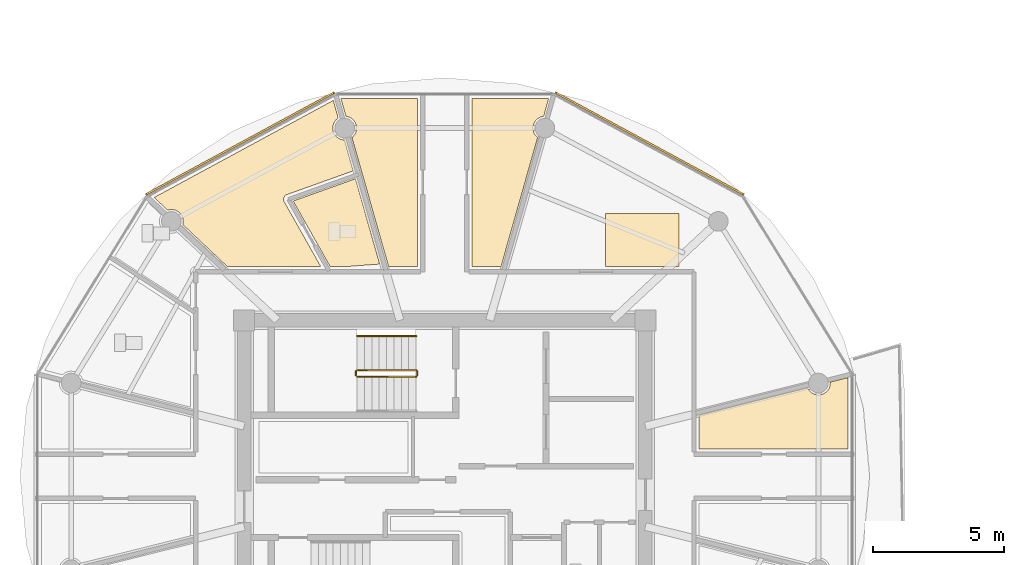
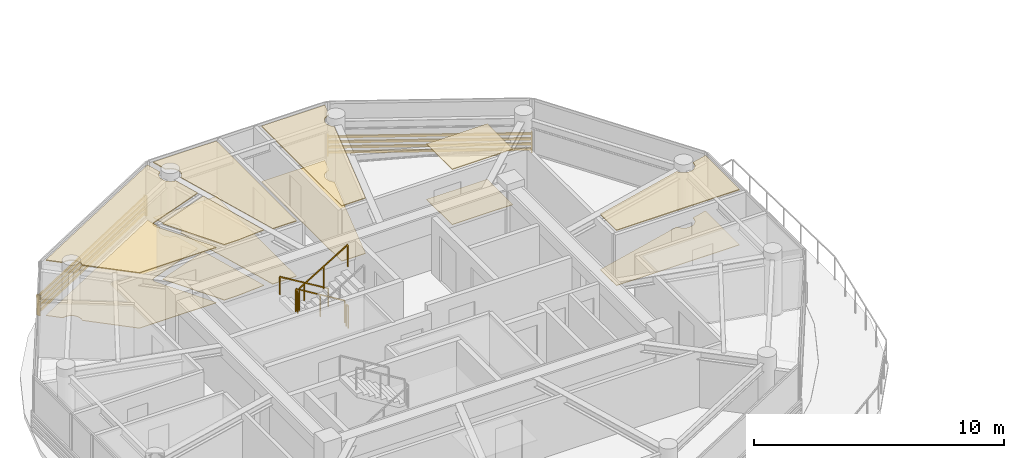
# One storey, part 17 of 21: 12 coverings, 5 railings, 2 shading devices.
"""IFC4 building model written with IfcOpenShell, lengths in metres."""

from ifc_helpers import new_model, si_unit, direction, frame, origin, origin_2d, place, context, subcontext, project, spatial, polyline, rectangle, outline, extrude, source, transform, mapped, material, layer, layer_set, type_object, type_shapes, element, save


model = new_model("IFC4")

# Units and contexts
model_context = context("Model", 3, precision=1e-05, world=origin(), true_north=direction((0.0, 1.0)))
body_context = subcontext(model_context, "Body", "Model", "MODEL_VIEW")
ifc_project = project(units=[si_unit("LENGTHUNIT", "METRE"), si_unit("AREAUNIT", "SQUARE_METRE"), si_unit("VOLUMEUNIT", "CUBIC_METRE"), si_unit("PLANEANGLEUNIT", "RADIAN"), si_unit("MASSUNIT", "GRAM", prefix="KILO")], contexts=[model_context])

# Site, building, storey
site_placement = place(None, origin())
site = spatial("IfcSite", under=ifc_project, at=site_placement, CompositionType="ELEMENT")
building_placement = place(site_placement, origin())
building = spatial("IfcBuilding", under=site, at=building_placement, Name="Norrkilde Senior Care Towers", CompositionType="ELEMENT")
storey_placement = place(building_placement, frame((0.0, 0.0, 241.35009765625)))
storey = spatial("IfcBuildingStorey", under=building, at=storey_placement, Name="L75", CompositionType="ELEMENT", Elevation=241.35009765625)

# Coverings
ifc_material_1 = material(Name="Nordic Ash Timber", Category="wood")
ifc_layer_1 = layer(ifc_material_1, 0.044921875)
ifc_layer_set_1 = layer_set([ifc_layer_1], Name="Nordic Ash Timber")
covering_type_1 = type_object("IfcCoveringType", Name="Acoustic Ash Timber Slatted Ceiling 45", PredefinedType="CEILING", material=ifc_layer_set_1)
covering_1_placement = place(storey_placement, frame((0.0, 0.0, 2.684814453125)))
element("IfcCovering", 1, at=covering_1_placement, inside=storey, type_object=covering_type_1, Name="L75 Suspended Ceiling 0468", PredefinedType="CEILING", context=body_context, shape_type="SweptSolid", body=[
    extrude(outline(polyline([(-29.0400390625, 14.407470703125), (-29.0400390625, 8.0), (-30.144775390625, 8.0), (-31.541748046875, 12.924560546875), (-31.495849609375, 12.959716796875), (-31.423583984375, 13.053955078125), (-31.378173828125, 13.163818359375), (-31.362548828125, 13.281494140625), (-31.378173828125, 13.399169921875), (-31.423583984375, 13.509033203125), (-31.495849609375, 13.603271484375), (-31.590087890625, 13.675537109375), (-31.69970703125, 13.720947265625), (-31.770263671875, 13.730224609375), (-31.96240234375, 14.407470703125), (-29.0400390625, 14.407470703125)])), origin(), (0.0, 0.0, 1.0), 0.045166015625),
])
covering_2_placement = place(storey_placement, frame((0.0, 0.0, 2.684814453125)))
element("IfcCovering", 2, at=covering_2_placement, inside=storey, type_object=covering_type_1, Name="L75 Suspended Ceiling 0469", PredefinedType="CEILING", context=body_context, shape_type="SweptSolid", body=[
    extrude(outline(polyline([(-24.03759765625, 14.407470703125), (-24.229736328125, 13.730224609375), (-24.30029296875, 13.720947265625), (-24.409912109375, 13.675537109375), (-24.504150390625, 13.603271484375), (-24.576416015625, 13.509033203125), (-24.621826171875, 13.399169921875), (-24.637451171875, 13.281494140625), (-24.621826171875, 13.163818359375), (-24.576416015625, 13.053955078125), (-24.504150390625, 12.959716796875), (-24.458251953125, 12.924560546875), (-25.855224609375, 8.0), (-26.9599609375, 8.0), (-26.9599609375, 14.407470703125), (-24.03759765625, 14.407470703125)])), origin(), (0.0, 0.0, 1.0), 0.045166015625),
])
covering_3_placement = place(storey_placement, frame((0.0, 0.0, 2.684814453125)))
element("IfcCovering", 3, at=covering_3_placement, inside=storey, type_object=covering_type_1, Name="L75 Suspended Ceiling 0471", PredefinedType="CEILING", context=body_context, shape_type="SweptSolid", body=[
    extrude(outline(polyline([(-12.62646484375, 1.0400390625), (-18.300048828125, 1.0400390625), (-18.300048828125, 2.331298828125), (-14.165771484375, 3.377685546875), (-14.146728515625, 3.331298828125), (-14.07421875, 3.237060546875), (-13.97998046875, 3.164794921875), (-13.870361328125, 3.119384765625), (-13.752685546875, 3.103759765625), (-13.634765625, 3.119384765625), (-13.525146484375, 3.164794921875), (-13.430908203125, 3.237060546875), (-13.358642578125, 3.331298828125), (-13.31298828125, 3.44091796875), (-13.297607421875, 3.558837890625), (-13.302490234375, 3.59619140625), (-12.62646484375, 3.76708984375), (-12.62646484375, 1.0400390625)])), origin(), (0.0, 0.0, 1.0), 0.045166015625),
])
covering_4_placement = place(storey_placement, frame((0.0, 0.0, 2.684814453125)))
element("IfcCovering", 4, at=covering_4_placement, inside=storey, type_object=covering_type_1, Name="L75 Suspended Ceiling 0472", PredefinedType="CEILING", context=body_context, shape_type="SweptSolid", body=[
    extrude(outline(polyline([(-21.865234375, 10.033935546875), (-19.065185546875, 10.033935546875), (-19.065185546875, 8.0), (-21.865234375, 8.0), (-21.865234375, 10.033935546875)])), origin(), (0.0, 0.0, 1.0), 0.045166015625),
])
covering_5_placement = place(storey_placement, frame((0.0, 0.0, 2.684814453125)))
element("IfcCovering", 5, at=covering_5_placement, inside=storey, type_object=covering_type_1, Name="L75 Suspended Ceiling 0473", PredefinedType="CEILING", context=body_context, shape_type="SweptSolid", body=[
    extrude(outline(polyline([(-34.0595703125, 10.7255859375), (-34.065185546875, 10.7216796875), (-34.074462890625, 10.71484375), (-34.079833984375, 10.710693359375), (-34.08837890625, 10.702880859375), (-34.09326171875, 10.6982421875), (-34.10107421875, 10.689697265625), (-34.10546875, 10.684326171875), (-34.1123046875, 10.675048828125), (-34.1162109375, 10.66943359375), (-34.122314453125, 10.65966796875), (-34.12548828125, 10.65380859375), (-34.130615234375, 10.643310546875), (-34.13330078125, 10.63720703125), (-34.13720703125, 10.626220703125), (-34.139404296875, 10.619873046875), (-34.142333984375, 10.608642578125), (-34.143798828125, 10.60205078125), (-34.1455078125, 10.590576171875), (-34.146484375, 10.583740234375), (-34.147216796875, 10.572265625), (-34.147216796875, 10.5654296875), (-34.14697265625, 10.553955078125), (-34.146484375, 10.547119140625), (-34.14501953125, 10.53564453125), (-34.143798828125, 10.529052734375), (-34.14111328125, 10.517578125), (-34.139404296875, 10.51123046875), (-34.1357421875, 10.500244140625), (-34.13330078125, 10.493896484375), (-34.128662109375, 10.483154296875), (-34.12548828125, 10.47705078125), (-34.122802734375, 10.471923828125), (-32.72900390625, 8.0), (-36.294677734375, 8.0), (-37.9912109375, 9.6025390625), (-37.990234375, 9.60498046875), (-37.974853515625, 9.72265625), (-37.990234375, 9.840576171875), (-38.035888671875, 9.9501953125), (-38.108154296875, 10.04443359375), (-38.202392578125, 10.11669921875), (-38.31201171875, 10.162109375), (-38.429931640625, 10.177734375), (-38.547607421875, 10.162109375), (-38.57275390625, 10.15185546875), (-39.08642578125, 10.636962890625), (-32.253662109375, 14.335693359375), (-32.062744140625, 13.662109375), (-32.139404296875, 13.603271484375), (-32.211669921875, 13.509033203125), (-32.257080078125, 13.399169921875), (-32.2724609375, 13.281494140625), (-32.257080078125, 13.163818359375), (-32.211669921875, 13.053955078125), (-32.139404296875, 12.959716796875), (-32.045166015625, 12.887451171875), (-31.935302734375, 12.842041015625), (-31.825927734375, 12.82763671875), (-31.491943359375, 11.650634765625), (-34.021484375, 10.744140625), (-34.02685546875, 10.7421875), (-34.033203125, 10.739501953125), (-34.043701171875, 10.734619140625), (-34.049560546875, 10.7314453125), (-34.0595703125, 10.7255859375)])), origin(), (0.0, 0.0, 1.0), 0.045166015625),
])
ifc_material_2 = material(Name="Gypsum Acoustic Board")
ifc_layer_2 = layer(ifc_material_2, 0.030029296875)
ifc_layer_set_2 = layer_set([ifc_layer_2], Name="Gypsum Acoustic Board")
covering_type_2 = type_object("IfcCoveringType", Name="Medical Cleanable Gypsum Ceiling 30", PredefinedType="CEILING", material=ifc_layer_set_2)
covering_6_placement = place(storey_placement, frame((0.0, 0.0, 2.699951171875)))
element("IfcCovering", 6, at=covering_6_placement, inside=storey, type_object=covering_type_2, Name="L75 Suspended Ceiling 0474", PredefinedType="CEILING", context=body_context, shape_type="SweptSolid", body=[
    extrude(outline(polyline([(-33.782958984375, 10.50048828125), (-31.4072265625, 11.3515625), (-30.483642578125, 8.095458984375), (-31.75390625, 8.0), (-32.373046875, 8.0), (-33.782958984375, 10.50048828125)])), origin(), (0.0, 0.0, 1.0), 0.030029296875),
])
ifc_material_3 = material(Name="Slip-Resistant Porcelain Stone", Category="masonry")
ifc_layer_3 = layer(ifc_material_3, 0.02490234375)
ifc_layer_set_3 = layer_set([ifc_layer_3], Name="Slip-Resistant Porcelain Stone")
covering_type_3 = type_object("IfcCoveringType", Name="Slip-Resistant Porcelain Flooring 25", PredefinedType="FLOORING", material=ifc_layer_set_3)
covering_7_placement = place(storey_placement, origin())
element("IfcCovering", 7, at=covering_7_placement, inside=storey, type_object=covering_type_3, Name="L75 Floor Finish 0468", PredefinedType="FLOORING", context=body_context, shape_type="SweptSolid", body=[
    extrude(outline(polyline([(-29.0400390625, 14.407470703125), (-29.0400390625, 8.0), (-30.144775390625, 8.0), (-31.541748046875, 12.924560546875), (-31.495849609375, 12.959716796875), (-31.423583984375, 13.053955078125), (-31.378173828125, 13.163818359375), (-31.362548828125, 13.281494140625), (-31.378173828125, 13.399169921875), (-31.423583984375, 13.509033203125), (-31.495849609375, 13.603271484375), (-31.590087890625, 13.675537109375), (-31.69970703125, 13.720947265625), (-31.770263671875, 13.730224609375), (-31.96240234375, 14.407470703125), (-29.0400390625, 14.407470703125)])), origin(), (0.0, 0.0, 1.0), 0.02490234375),
])
covering_8_placement = place(storey_placement, origin())
element("IfcCovering", 8, at=covering_8_placement, inside=storey, type_object=covering_type_3, Name="L75 Floor Finish 0469", PredefinedType="FLOORING", context=body_context, shape_type="SweptSolid", body=[
    extrude(outline(polyline([(-24.03759765625, 14.407470703125), (-24.229736328125, 13.730224609375), (-24.30029296875, 13.720947265625), (-24.409912109375, 13.675537109375), (-24.504150390625, 13.603271484375), (-24.576416015625, 13.509033203125), (-24.621826171875, 13.399169921875), (-24.637451171875, 13.281494140625), (-24.621826171875, 13.163818359375), (-24.576416015625, 13.053955078125), (-24.504150390625, 12.959716796875), (-24.458251953125, 12.924560546875), (-25.855224609375, 8.0), (-26.9599609375, 8.0), (-26.9599609375, 14.407470703125), (-24.03759765625, 14.407470703125)])), origin(), (0.0, 0.0, 1.0), 0.02490234375),
])
covering_9_placement = place(storey_placement, origin())
element("IfcCovering", 9, at=covering_9_placement, inside=storey, type_object=covering_type_3, Name="L75 Floor Finish 0471", PredefinedType="FLOORING", context=body_context, shape_type="SweptSolid", body=[
    extrude(outline(polyline([(-12.62646484375, 1.0400390625), (-18.300048828125, 1.0400390625), (-18.300048828125, 2.331298828125), (-14.165771484375, 3.377685546875), (-14.146728515625, 3.331298828125), (-14.07421875, 3.237060546875), (-13.97998046875, 3.164794921875), (-13.870361328125, 3.119384765625), (-13.752685546875, 3.103759765625), (-13.634765625, 3.119384765625), (-13.525146484375, 3.164794921875), (-13.430908203125, 3.237060546875), (-13.358642578125, 3.331298828125), (-13.31298828125, 3.44091796875), (-13.297607421875, 3.558837890625), (-13.302490234375, 3.59619140625), (-12.62646484375, 3.76708984375), (-12.62646484375, 1.0400390625)])), origin(), (0.0, 0.0, 1.0), 0.02490234375),
])
covering_10_placement = place(storey_placement, origin())
element("IfcCovering", 10, at=covering_10_placement, inside=storey, type_object=covering_type_3, Name="L75 Floor Finish 0472", PredefinedType="FLOORING", context=body_context, shape_type="SweptSolid", body=[
    extrude(outline(polyline([(-21.865234375, 10.033935546875), (-19.065185546875, 10.033935546875), (-19.065185546875, 8.0), (-21.865234375, 8.0), (-21.865234375, 10.033935546875)])), origin(), (0.0, 0.0, 1.0), 0.02490234375),
])
covering_11_placement = place(storey_placement, origin())
element("IfcCovering", 11, at=covering_11_placement, inside=storey, type_object=covering_type_3, Name="L75 Floor Finish 0473", PredefinedType="FLOORING", context=body_context, shape_type="SweptSolid", body=[
    extrude(outline(polyline([(-34.0595703125, 10.7255859375), (-34.065185546875, 10.7216796875), (-34.074462890625, 10.71484375), (-34.079833984375, 10.710693359375), (-34.08837890625, 10.702880859375), (-34.09326171875, 10.6982421875), (-34.10107421875, 10.689697265625), (-34.10546875, 10.684326171875), (-34.1123046875, 10.675048828125), (-34.1162109375, 10.66943359375), (-34.122314453125, 10.65966796875), (-34.12548828125, 10.65380859375), (-34.130615234375, 10.643310546875), (-34.13330078125, 10.63720703125), (-34.13720703125, 10.626220703125), (-34.139404296875, 10.619873046875), (-34.142333984375, 10.608642578125), (-34.143798828125, 10.60205078125), (-34.1455078125, 10.590576171875), (-34.146484375, 10.583740234375), (-34.147216796875, 10.572265625), (-34.147216796875, 10.5654296875), (-34.14697265625, 10.553955078125), (-34.146484375, 10.547119140625), (-34.14501953125, 10.53564453125), (-34.143798828125, 10.529052734375), (-34.14111328125, 10.517578125), (-34.139404296875, 10.51123046875), (-34.1357421875, 10.500244140625), (-34.13330078125, 10.493896484375), (-34.128662109375, 10.483154296875), (-34.12548828125, 10.47705078125), (-34.122802734375, 10.471923828125), (-32.72900390625, 8.0), (-36.294677734375, 8.0), (-37.9912109375, 9.6025390625), (-37.990234375, 9.60498046875), (-37.974853515625, 9.72265625), (-37.990234375, 9.840576171875), (-38.035888671875, 9.9501953125), (-38.108154296875, 10.04443359375), (-38.202392578125, 10.11669921875), (-38.31201171875, 10.162109375), (-38.429931640625, 10.177734375), (-38.547607421875, 10.162109375), (-38.57275390625, 10.15185546875), (-39.08642578125, 10.636962890625), (-32.253662109375, 14.335693359375), (-32.062744140625, 13.662109375), (-32.139404296875, 13.603271484375), (-32.211669921875, 13.509033203125), (-32.257080078125, 13.399169921875), (-32.2724609375, 13.281494140625), (-32.257080078125, 13.163818359375), (-32.211669921875, 13.053955078125), (-32.139404296875, 12.959716796875), (-32.045166015625, 12.887451171875), (-31.935302734375, 12.842041015625), (-31.825927734375, 12.82763671875), (-31.491943359375, 11.650634765625), (-34.021484375, 10.744140625), (-34.02685546875, 10.7421875), (-34.033203125, 10.739501953125), (-34.043701171875, 10.734619140625), (-34.049560546875, 10.7314453125), (-34.0595703125, 10.7255859375)])), origin(), (0.0, 0.0, 1.0), 0.02490234375),
])
covering_12_placement = place(storey_placement, origin())
element("IfcCovering", 12, at=covering_12_placement, inside=storey, type_object=covering_type_3, Name="L75 Floor Finish 0474", PredefinedType="FLOORING", context=body_context, shape_type="SweptSolid", body=[
    extrude(outline(polyline([(-33.782958984375, 10.50048828125), (-31.4072265625, 11.3515625), (-30.483642578125, 8.095458984375), (-31.75390625, 8.0), (-32.373046875, 8.0), (-33.782958984375, 10.50048828125)])), origin(), (0.0, 0.0, 1.0), 0.02490234375),
])

# Railings
ifc_material_4 = material(Name="Stainless Steel", Category="steel")
railing_type_1 = type_object("IfcRailingType", Name="Stair and Terrace Guardrail 1100", PredefinedType="GUARDRAIL", material=ifc_material_4)
railing_1_placement = place(storey_placement, frame((-29.10009765625, 4.050048828125, 0.16943359375)))
element("IfcRailing", 13, at=railing_1_placement, inside=storey, type_object=railing_type_1, Name="L75 ST-W1 stair guard 1", PredefinedType="GUARDRAIL", context=body_context, shape_type="SweptSolid", body=[
    extrude(rectangle(XDim=0.048095703125, YDim=0.048095703125, at=origin_2d()), frame((0.0, 0.0, 1.076171875), z_axis=(-0.855553338991, 0.0, 0.51771467445), x_axis=(0.0, -1.0, 0.0)), (0.0, 0.0, 1.0), 2.6181640625),
    extrude(rectangle(XDim=0.0419921875, YDim=0.0419921875, at=origin_2d()), origin(), (0.0, 0.0, 1.0), 1.050048828125),
    extrude(rectangle(XDim=0.0419921875, YDim=0.0419921875, at=origin_2d()), frame((-1.1201171875, 0.0, 0.677734375)), (0.0, 0.0, 1.0), 1.050048828125),
    extrude(rectangle(XDim=0.0419921875, YDim=0.0419921875, at=origin_2d()), frame((-2.239990234375, 0.0, 1.35546875)), (0.0, 0.0, 1.0), 1.050048828125),
])
railing_2_placement = place(storey_placement, frame((-31.389892578125, 4.0, 1.52490234375)))
element("IfcRailing", 14, at=railing_2_placement, inside=storey, type_object=railing_type_1, Name="L75 ST-W1 stair guard 2", PredefinedType="GUARDRAIL", context=body_context, shape_type="SweptSolid", body=[
    extrude(rectangle(XDim=0.048095703125, YDim=0.048095703125, at=origin_2d()), frame((0.0, 0.0, 1.076171875), z_axis=(0.0, -1.0, 0.0), x_axis=(1.0, 0.0, 0.0)), (0.0, 0.0, 1.0), 0.14990234375),
    extrude(rectangle(XDim=0.0419921875, YDim=0.0419921875, at=origin_2d()), origin(), (0.0, 0.0, 1.0), 1.050048828125),
    extrude(rectangle(XDim=0.0419921875, YDim=0.0419921875, at=origin_2d()), frame((0.0, -0.14990234375, 0.0)), (0.0, 0.0, 1.0), 1.050048828125),
])
railing_3_placement = place(storey_placement, frame((-31.340087890625, 3.800048828125, 1.6943359375)))
element("IfcRailing", 15, at=railing_3_placement, inside=storey, type_object=railing_type_1, Name="L75 ST-W1 stair guard 3", PredefinedType="GUARDRAIL", context=body_context, shape_type="SweptSolid", body=[
    extrude(rectangle(XDim=0.048095703125, YDim=0.048095703125, at=origin_2d()), frame((0.0, 0.0, 1.076171875), z_axis=(0.855553338991, 0.0, 0.51771467445), x_axis=(0.0, 1.0, 0.0)), (0.0, 0.0, 1.0), 2.6181640625),
    extrude(rectangle(XDim=0.0419921875, YDim=0.0419921875, at=origin_2d()), origin(), (0.0, 0.0, 1.0), 1.050048828125),
    extrude(rectangle(XDim=0.0419921875, YDim=0.0419921875, at=origin_2d()), frame((1.1201171875, 0.0, 0.677734375)), (0.0, 0.0, 1.0), 1.050048828125),
    extrude(rectangle(XDim=0.0419921875, YDim=0.0419921875, at=origin_2d()), frame((2.239990234375, 0.0, 1.35546875)), (0.0, 0.0, 1.0), 1.050048828125),
])
railing_4_placement = place(storey_placement, frame((-29.050048828125, 4.0, 0.0)))
element("IfcRailing", 16, at=railing_4_placement, inside=storey, type_object=railing_type_1, Name="L75 ST-W1 stair guard 4", PredefinedType="GUARDRAIL", context=body_context, shape_type="SweptSolid", body=[
    extrude(rectangle(XDim=0.048095703125, YDim=0.048095703125, at=origin_2d()), frame((0.0, 0.0, 1.076171875), z_axis=(0.0, -1.0, 0.0), x_axis=(1.0, 0.0, 0.0)), (0.0, 0.0, 1.0), 0.14990234375),
    extrude(rectangle(XDim=0.0419921875, YDim=0.0419921875, at=origin_2d()), origin(), (0.0, 0.0, 1.0), 1.050048828125),
    extrude(rectangle(XDim=0.0419921875, YDim=0.0419921875, at=origin_2d()), frame((0.0, -0.14990234375, 0.0)), (0.0, 0.0, 1.0), 1.050048828125),
])
railing_type_2 = type_object("IfcRailingType", Name="Wall and Stair Handrail 900", PredefinedType="HANDRAIL", material=ifc_material_1)
railing_5_placement = place(storey_placement, frame((-29.10009765625, 5.35009765625, 0.16943359375)))
element("IfcRailing", 17, at=railing_5_placement, inside=storey, type_object=railing_type_2, Name="L75 ST-W1 stair handrail 1", PredefinedType="HANDRAIL", context=body_context, shape_type="SweptSolid", body=[
    extrude(rectangle(XDim=0.048095703125, YDim=0.048095703125, at=origin_2d()), frame((0.0, 0.0, 0.8759765625), z_axis=(-0.855553338991, 0.0, 0.51771467445), x_axis=(0.0, -1.0, 0.0)), (0.0, 0.0, 1.0), 2.6181640625),
    extrude(rectangle(XDim=0.0419921875, YDim=0.0419921875, at=origin_2d()), origin(), (0.0, 0.0, 1.0), 0.849853515625),
    extrude(rectangle(XDim=0.0419921875, YDim=0.0419921875, at=origin_2d()), frame((-1.1201171875, 0.0, 0.677734375)), (0.0, 0.0, 1.0), 0.849853515625),
    extrude(rectangle(XDim=0.0419921875, YDim=0.0419921875, at=origin_2d()), frame((-2.239990234375, 0.0, 1.35546875)), (0.0, 0.0, 1.0), 0.849853515625),
])

# Shading devices
ifc_material_5 = material(Name="Architectural Terracotta", Category="masonry")
shading_device_type = type_object("IfcShadingDeviceType", Name="Horizontal Terracotta Baguette Rack", PredefinedType="USERDEFINED", material=ifc_material_5)
shared_shape = source(origin(), body_context, "Body", "SweptSolid", [
    extrude(rectangle(XDim=0.070068359375, YDim=0.110107421875, at=origin_2d()), frame((0.0, 0.090087890625, 0.125), z_axis=(1.0, 0.0, 0.0), x_axis=(0.0, 1.0, 0.0)), (0.0, 0.0, 1.0), 8.197265625),
    extrude(rectangle(XDim=0.070068359375, YDim=0.110107421875, at=origin_2d()), frame((0.0, 0.090087890625, 0.375), z_axis=(1.0, 0.0, 0.0), x_axis=(0.0, 1.0, 0.0)), (0.0, 0.0, 1.0), 8.197265625),
    extrude(rectangle(XDim=0.070068359375, YDim=0.110107421875, at=origin_2d()), frame((0.0, 0.090087890625, 0.625), z_axis=(1.0, 0.0, 0.0), x_axis=(0.0, 1.0, 0.0)), (0.0, 0.0, 1.0), 8.197265625),
    extrude(rectangle(XDim=0.070068359375, YDim=0.110107421875, at=origin_2d()), frame((0.0, 0.090087890625, 0.875), z_axis=(1.0, 0.0, 0.0), x_axis=(0.0, 1.0, 0.0)), (0.0, 0.0, 1.0), 8.197265625),
    extrude(rectangle(XDim=0.050048828125, YDim=0.1552734375, at=origin_2d()), frame((0.02490234375, 0.047607421875, 0.0)), (0.0, 0.0, 1.0), 1.0),
    extrude(rectangle(XDim=0.050048828125, YDim=0.1552734375, at=origin_2d()), frame((8.17236328125, 0.047607421875, 0.0)), (0.0, 0.0, 1.0), 1.0),
])
type_shapes(shading_device_type, [shared_shape])
for number, where, z_axis, x_axis, name in (
    (18, (-23.838134765625, 14.566162109375, 0.079833984375), (0.0, 0.0, 1.0), (0.879378127234, -0.476143674053, 0.0), "L75 Drum W Terracotta Baguette Screen 01"),
    (19, (-39.370361328125, 10.6630859375, 0.079833984375), (0.0, 0.0, 1.0), (0.879378127234, 0.476143674053, 0.0), "L75 Drum W Terracotta Baguette Screen 03"),
):
    element("IfcShadingDevice", number, at=place(storey_placement, frame(where, z_axis=z_axis, x_axis=x_axis)), inside=storey, type_object=shading_device_type, Name=name, ObjectType="BAGUETTE", PredefinedType="USERDEFINED", context=body_context, shape_type="MappedRepresentation", body=[
        mapped(shared_shape, transform((0.0, 0.0, 0.0), x_axis=(1.0, 0.0, 0.0), y_axis=(0.0, 1.0, 0.0), z_axis=(0.0, 0.0, 1.0), scale=1.0)),
    ])

save(model, "model.ifc")
